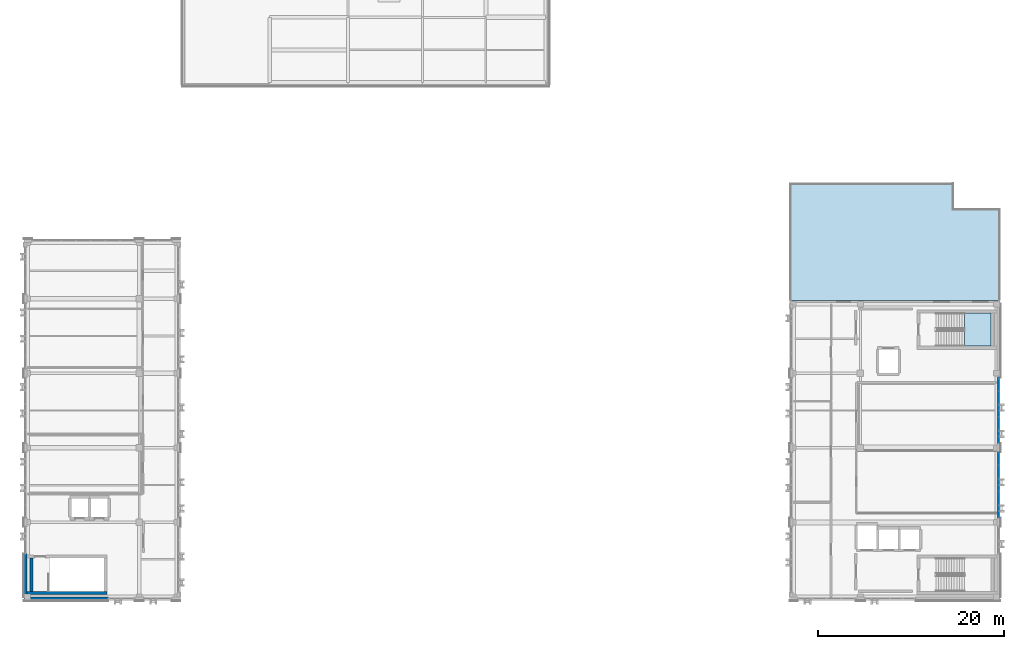
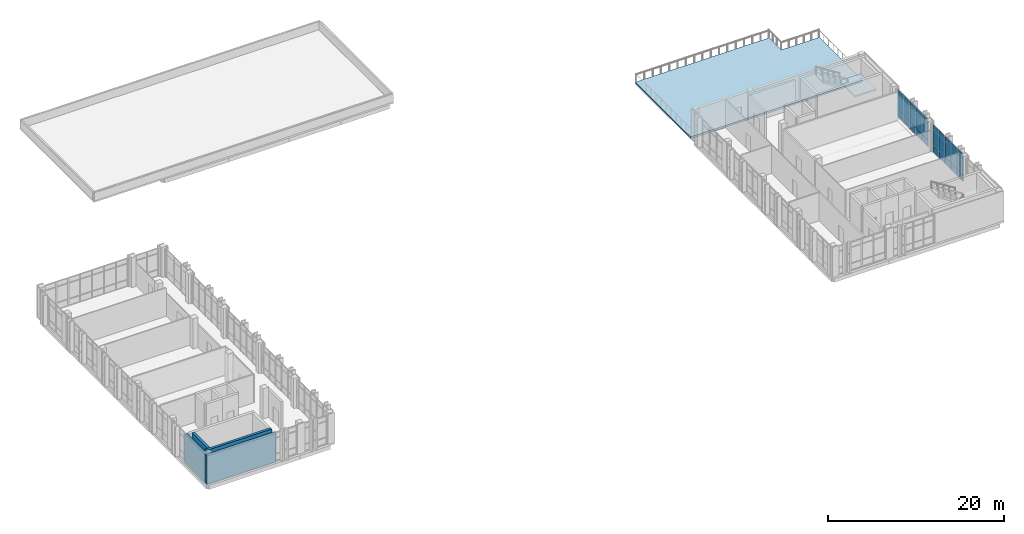
# One storey, part 35 of 48: 30 plates, 4 walls, 2 slabs, 3 elements without a shape of their own.
"""IFC4 building model written with IfcOpenShell, lengths in metres."""

from ifc_helpers import new_model, si_unit, direction, frame, frame_2d, origin, origin_2d, place, context, subcontext, project, spatial, polyline, rectangle, outline, extrude, material, layer, layer_set, type_object, element, aggregate, save


model = new_model("IFC4")

# Units and contexts
model_context = context("Model", 3, precision=1e-05, world=origin(), true_north=direction((0.0, 1.0)))
body_context = subcontext(model_context, "Body", "Model", "MODEL_VIEW")
ifc_project = project(units=[si_unit("LENGTHUNIT", "METRE"), si_unit("AREAUNIT", "SQUARE_METRE"), si_unit("VOLUMEUNIT", "CUBIC_METRE"), si_unit("PLANEANGLEUNIT", "RADIAN"), si_unit("MASSUNIT", "GRAM", prefix="KILO")], contexts=[model_context])

# Site, building, storey
site_placement = place(None, origin())
site = spatial("IfcSite", under=ifc_project, at=site_placement, CompositionType="ELEMENT")
building_placement = place(site_placement, origin())
building = spatial("IfcBuilding", under=site, at=building_placement, Name="Qalavern Law Courts", CompositionType="ELEMENT")
storey_placement = place(building_placement, frame((0.0, 0.0, 31.199951171875)))
storey = spatial("IfcBuildingStorey", under=building, at=storey_placement, Name="L07", CompositionType="ELEMENT", Elevation=31.199951171875)

# Curtain wall, plates
ifc_material_1 = material(Name="Anodised aluminium and insulated glazing", Category="aluminium")
ifc_layer_1 = layer(ifc_material_1, 0.159912109375)
ifc_layer_set_1 = layer_set([ifc_layer_1], Name="Anodised aluminium and insulated glazing")
curtain_wall_type = type_object("IfcCurtainWallType", Name="ENV-CW-CHAMB", PredefinedType="USERDEFINED", material=ifc_layer_set_1)
curtain_wall_1_placement = place(storey_placement, origin())
curtain_wall_1 = element("IfcCurtainWall", 1, at=curtain_wall_1_placement, inside=storey, type_object=curtain_wall_type, Name="V4 unitised curtain wall L07 east 2", ObjectType="UNITISED CURTAIN WALL", PredefinedType="USERDEFINED")
ifc_material_2 = material(Name="Insulated low-E acoustic glazing", Category="glass")
ifc_layer_2 = layer(ifc_material_2, 0.0400390625)
ifc_layer_set_2 = layer_set([ifc_layer_2], Name="Insulated low-E acoustic glazing")
plate_type_1 = type_object("IfcPlateType", Name="ENV-CWP-40", PredefinedType="CURTAIN_PANEL", material=ifc_layer_set_2)
plate_1_placement = place(storey_placement, frame((106.62255859375, 50.612060546875, 0.048095703125), z_axis=(0.0, 0.0, 1.0), x_axis=(0.0, 1.0, 0.0)))
plate_1 = element("IfcPlate", 2, at=plate_1_placement, type_object=plate_type_1, Name="CW-04 panel 1.1", PredefinedType="CURTAIN_PANEL", context=body_context, shape_type="SweptSolid", body=[
    extrude(rectangle(XDim=1.327880859375, YDim=0.0400390625, at=origin_2d()), origin(), (0.0, 0.0, 1.0), 0.8779296875),
])
plate_2_placement = place(storey_placement, frame((106.62255859375, 50.612060546875, 0.97412109375), z_axis=(0.0, 0.0, 1.0), x_axis=(0.0, 1.0, 0.0)))
plate_2 = element("IfcPlate", 3, at=plate_2_placement, type_object=plate_type_1, Name="CW-04 panel 1.2", PredefinedType="CURTAIN_PANEL", context=body_context, shape_type="SweptSolid", body=[
    extrude(rectangle(XDim=1.327880859375, YDim=0.0400390625, at=origin_2d()), origin(), (0.0, 0.0, 1.0), 2.19189453125),
])
plate_3_placement = place(storey_placement, frame((106.62255859375, 50.612060546875, 3.2138671875), z_axis=(0.0, 0.0, 1.0), x_axis=(0.0, 1.0, 0.0)))
plate_3 = element("IfcPlate", 4, at=plate_3_placement, type_object=plate_type_1, Name="CW-04 panel 1.3", PredefinedType="CURTAIN_PANEL", context=body_context, shape_type="SweptSolid", body=[
    extrude(rectangle(XDim=1.327880859375, YDim=0.0400390625, at=origin_2d()), origin(), (0.0, 0.0, 1.0), 0.677978515625),
])
plate_4_placement = place(storey_placement, frame((106.62255859375, 52.0, 0.048095703125), z_axis=(0.0, 0.0, 1.0), x_axis=(0.0, 1.0, 0.0)))
plate_4 = element("IfcPlate", 5, at=plate_4_placement, type_object=plate_type_1, Name="CW-04 panel 2.1", PredefinedType="CURTAIN_PANEL", context=body_context, shape_type="SweptSolid", body=[
    extrude(rectangle(XDim=1.35205078125, YDim=0.0400390625, at=origin_2d()), origin(), (0.0, 0.0, 1.0), 0.8779296875),
])
plate_5_placement = place(storey_placement, frame((106.62255859375, 52.0, 0.97412109375), z_axis=(0.0, 0.0, 1.0), x_axis=(0.0, 1.0, 0.0)))
plate_5 = element("IfcPlate", 6, at=plate_5_placement, type_object=plate_type_1, Name="CW-04 panel 2.2", PredefinedType="CURTAIN_PANEL", context=body_context, shape_type="SweptSolid", body=[
    extrude(rectangle(XDim=1.35205078125, YDim=0.0400390625, at=origin_2d()), origin(), (0.0, 0.0, 1.0), 2.19189453125),
])
plate_6_placement = place(storey_placement, frame((106.62255859375, 52.0, 3.2138671875), z_axis=(0.0, 0.0, 1.0), x_axis=(0.0, 1.0, 0.0)))
plate_6 = element("IfcPlate", 7, at=plate_6_placement, type_object=plate_type_1, Name="CW-04 panel 2.3", PredefinedType="CURTAIN_PANEL", context=body_context, shape_type="SweptSolid", body=[
    extrude(rectangle(XDim=1.35205078125, YDim=0.0400390625, at=origin_2d()), origin(), (0.0, 0.0, 1.0), 0.677978515625),
])
plate_7_placement = place(storey_placement, frame((106.62255859375, 53.39990234375, 0.048095703125), z_axis=(0.0, 0.0, 1.0), x_axis=(0.0, 1.0, 0.0)))
plate_7 = element("IfcPlate", 8, at=plate_7_placement, type_object=plate_type_1, Name="CW-04 panel 3.1", PredefinedType="CURTAIN_PANEL", context=body_context, shape_type="SweptSolid", body=[
    extrude(rectangle(XDim=1.35205078125, YDim=0.0400390625, at=origin_2d()), origin(), (0.0, 0.0, 1.0), 0.8779296875),
])
plate_8_placement = place(storey_placement, frame((106.62255859375, 53.39990234375, 0.97412109375), z_axis=(0.0, 0.0, 1.0), x_axis=(0.0, 1.0, 0.0)))
plate_8 = element("IfcPlate", 9, at=plate_8_placement, type_object=plate_type_1, Name="CW-04 panel 3.2", PredefinedType="CURTAIN_PANEL", context=body_context, shape_type="SweptSolid", body=[
    extrude(rectangle(XDim=1.35205078125, YDim=0.0400390625, at=origin_2d()), origin(), (0.0, 0.0, 1.0), 2.19189453125),
])
plate_9_placement = place(storey_placement, frame((106.62255859375, 53.39990234375, 3.2138671875), z_axis=(0.0, 0.0, 1.0), x_axis=(0.0, 1.0, 0.0)))
plate_9 = element("IfcPlate", 10, at=plate_9_placement, type_object=plate_type_1, Name="CW-04 panel 3.3", PredefinedType="CURTAIN_PANEL", context=body_context, shape_type="SweptSolid", body=[
    extrude(rectangle(XDim=1.35205078125, YDim=0.0400390625, at=origin_2d()), origin(), (0.0, 0.0, 1.0), 0.677978515625),
])
plate_10_placement = place(storey_placement, frame((106.62255859375, 54.800048828125, 0.048095703125), z_axis=(0.0, 0.0, 1.0), x_axis=(0.0, 1.0, 0.0)))
plate_10 = element("IfcPlate", 11, at=plate_10_placement, type_object=plate_type_1, Name="CW-04 panel 4.1", PredefinedType="CURTAIN_PANEL", context=body_context, shape_type="SweptSolid", body=[
    extrude(rectangle(XDim=1.35205078125, YDim=0.0400390625, at=origin_2d()), origin(), (0.0, 0.0, 1.0), 0.8779296875),
])
plate_11_placement = place(storey_placement, frame((106.62255859375, 54.800048828125, 0.97412109375), z_axis=(0.0, 0.0, 1.0), x_axis=(0.0, 1.0, 0.0)))
plate_11 = element("IfcPlate", 12, at=plate_11_placement, type_object=plate_type_1, Name="CW-04 panel 4.2", PredefinedType="CURTAIN_PANEL", context=body_context, shape_type="SweptSolid", body=[
    extrude(rectangle(XDim=1.35205078125, YDim=0.0400390625, at=origin_2d()), origin(), (0.0, 0.0, 1.0), 2.19189453125),
])
plate_12_placement = place(storey_placement, frame((106.62255859375, 54.800048828125, 3.2138671875), z_axis=(0.0, 0.0, 1.0), x_axis=(0.0, 1.0, 0.0)))
plate_12 = element("IfcPlate", 13, at=plate_12_placement, type_object=plate_type_1, Name="CW-04 panel 4.3", PredefinedType="CURTAIN_PANEL", context=body_context, shape_type="SweptSolid", body=[
    extrude(rectangle(XDim=1.35205078125, YDim=0.0400390625, at=origin_2d()), origin(), (0.0, 0.0, 1.0), 0.677978515625),
])
plate_13_placement = place(storey_placement, frame((106.62255859375, 56.18798828125, 0.048095703125), z_axis=(0.0, 0.0, 1.0), x_axis=(0.0, 1.0, 0.0)))
plate_13 = element("IfcPlate", 14, at=plate_13_placement, type_object=plate_type_1, Name="CW-04 panel 5.1", PredefinedType="CURTAIN_PANEL", context=body_context, shape_type="SweptSolid", body=[
    extrude(rectangle(XDim=1.327880859375, YDim=0.0400390625, at=origin_2d()), origin(), (0.0, 0.0, 1.0), 0.8779296875),
])
plate_14_placement = place(storey_placement, frame((106.62255859375, 56.18798828125, 0.97412109375), z_axis=(0.0, 0.0, 1.0), x_axis=(0.0, 1.0, 0.0)))
plate_14 = element("IfcPlate", 15, at=plate_14_placement, type_object=plate_type_1, Name="CW-04 panel 5.2", PredefinedType="CURTAIN_PANEL", context=body_context, shape_type="SweptSolid", body=[
    extrude(rectangle(XDim=1.327880859375, YDim=0.0400390625, at=origin_2d()), origin(), (0.0, 0.0, 1.0), 2.19189453125),
])
plate_15_placement = place(storey_placement, frame((106.62255859375, 56.18798828125, 3.2138671875), z_axis=(0.0, 0.0, 1.0), x_axis=(0.0, 1.0, 0.0)))
plate_15 = element("IfcPlate", 16, at=plate_15_placement, type_object=plate_type_1, Name="CW-04 panel 5.3", PredefinedType="CURTAIN_PANEL", context=body_context, shape_type="SweptSolid", body=[
    extrude(rectangle(XDim=1.327880859375, YDim=0.0400390625, at=origin_2d()), origin(), (0.0, 0.0, 1.0), 0.677978515625),
])
aggregate(curtain_wall_1, [plate_1, plate_2, plate_3, plate_4, plate_5, plate_6, plate_7, plate_8, plate_9, plate_10, plate_11, plate_12, plate_13, plate_14, plate_15])

curtain_wall_2_placement = place(storey_placement, origin())
curtain_wall_2 = element("IfcCurtainWall", 17, at=curtain_wall_2_placement, inside=storey, type_object=curtain_wall_type, Name="V4 unitised curtain wall L07 east 3", ObjectType="UNITISED CURTAIN WALL", PredefinedType="USERDEFINED")
ifc_layer_3 = layer(ifc_material_2, 0.0439453125)
ifc_layer_set_3 = layer_set([ifc_layer_3], Name="Insulated low-E acoustic glazing")
plate_type_2 = type_object("IfcPlateType", Name="ENV-CWP-44", PredefinedType="CURTAIN_PANEL", material=ifc_layer_set_3)
plate_16_placement = place(storey_placement, frame((106.62255859375, 58.612060546875, 0.048095703125), z_axis=(0.0, 0.0, 1.0), x_axis=(0.0, 1.0, 0.0)))
plate_16 = element("IfcPlate", 18, at=plate_16_placement, type_object=plate_type_2, Name="CW-04 panel 1.1", PredefinedType="CURTAIN_PANEL", context=body_context, shape_type="SweptSolid", body=[
    extrude(rectangle(XDim=1.327880859375, YDim=0.0439453125, at=origin_2d()), origin(), (0.0, 0.0, 1.0), 0.8779296875),
])
plate_17_placement = place(storey_placement, frame((106.62255859375, 58.612060546875, 0.97412109375), z_axis=(0.0, 0.0, 1.0), x_axis=(0.0, 1.0, 0.0)))
plate_17 = element("IfcPlate", 19, at=plate_17_placement, type_object=plate_type_2, Name="CW-04 panel 1.2", PredefinedType="CURTAIN_PANEL", context=body_context, shape_type="SweptSolid", body=[
    extrude(rectangle(XDim=1.327880859375, YDim=0.0439453125, at=origin_2d()), origin(), (0.0, 0.0, 1.0), 2.19189453125),
])
plate_18_placement = place(storey_placement, frame((106.62255859375, 58.612060546875, 3.2138671875), z_axis=(0.0, 0.0, 1.0), x_axis=(0.0, 1.0, 0.0)))
plate_18 = element("IfcPlate", 20, at=plate_18_placement, type_object=plate_type_2, Name="CW-04 panel 1.3", PredefinedType="CURTAIN_PANEL", context=body_context, shape_type="SweptSolid", body=[
    extrude(rectangle(XDim=1.327880859375, YDim=0.0439453125, at=origin_2d()), origin(), (0.0, 0.0, 1.0), 0.677978515625),
])
plate_19_placement = place(storey_placement, frame((106.62255859375, 60.0, 0.048095703125), z_axis=(0.0, 0.0, 1.0), x_axis=(0.0, 1.0, 0.0)))
plate_19 = element("IfcPlate", 21, at=plate_19_placement, type_object=plate_type_2, Name="CW-04 panel 2.1", PredefinedType="CURTAIN_PANEL", context=body_context, shape_type="SweptSolid", body=[
    extrude(rectangle(XDim=1.35205078125, YDim=0.0439453125, at=origin_2d()), origin(), (0.0, 0.0, 1.0), 0.8779296875),
])
plate_20_placement = place(storey_placement, frame((106.62255859375, 60.0, 0.97412109375), z_axis=(0.0, 0.0, 1.0), x_axis=(0.0, 1.0, 0.0)))
plate_20 = element("IfcPlate", 22, at=plate_20_placement, type_object=plate_type_2, Name="CW-04 panel 2.2", PredefinedType="CURTAIN_PANEL", context=body_context, shape_type="SweptSolid", body=[
    extrude(rectangle(XDim=1.35205078125, YDim=0.0439453125, at=origin_2d()), origin(), (0.0, 0.0, 1.0), 2.19189453125),
])
plate_21_placement = place(storey_placement, frame((106.62255859375, 60.0, 3.2138671875), z_axis=(0.0, 0.0, 1.0), x_axis=(0.0, 1.0, 0.0)))
plate_21 = element("IfcPlate", 23, at=plate_21_placement, type_object=plate_type_2, Name="CW-04 panel 2.3", PredefinedType="CURTAIN_PANEL", context=body_context, shape_type="SweptSolid", body=[
    extrude(rectangle(XDim=1.35205078125, YDim=0.0439453125, at=origin_2d()), origin(), (0.0, 0.0, 1.0), 0.677978515625),
])
plate_22_placement = place(storey_placement, frame((106.62255859375, 61.39990234375, 0.048095703125), z_axis=(0.0, 0.0, 1.0), x_axis=(0.0, 1.0, 0.0)))
plate_22 = element("IfcPlate", 24, at=plate_22_placement, type_object=plate_type_2, Name="CW-04 panel 3.1", PredefinedType="CURTAIN_PANEL", context=body_context, shape_type="SweptSolid", body=[
    extrude(rectangle(XDim=1.35205078125, YDim=0.0439453125, at=origin_2d()), origin(), (0.0, 0.0, 1.0), 0.8779296875),
])
plate_23_placement = place(storey_placement, frame((106.62255859375, 61.39990234375, 0.97412109375), z_axis=(0.0, 0.0, 1.0), x_axis=(0.0, 1.0, 0.0)))
plate_23 = element("IfcPlate", 25, at=plate_23_placement, type_object=plate_type_2, Name="CW-04 panel 3.2", PredefinedType="CURTAIN_PANEL", context=body_context, shape_type="SweptSolid", body=[
    extrude(rectangle(XDim=1.35205078125, YDim=0.0439453125, at=origin_2d()), origin(), (0.0, 0.0, 1.0), 2.19189453125),
])
plate_24_placement = place(storey_placement, frame((106.62255859375, 61.39990234375, 3.2138671875), z_axis=(0.0, 0.0, 1.0), x_axis=(0.0, 1.0, 0.0)))
plate_24 = element("IfcPlate", 26, at=plate_24_placement, type_object=plate_type_2, Name="CW-04 panel 3.3", PredefinedType="CURTAIN_PANEL", context=body_context, shape_type="SweptSolid", body=[
    extrude(rectangle(XDim=1.35205078125, YDim=0.0439453125, at=origin_2d()), origin(), (0.0, 0.0, 1.0), 0.677978515625),
])
plate_25_placement = place(storey_placement, frame((106.62255859375, 62.800048828125, 0.048095703125), z_axis=(0.0, 0.0, 1.0), x_axis=(0.0, 1.0, 0.0)))
plate_25 = element("IfcPlate", 27, at=plate_25_placement, type_object=plate_type_2, Name="CW-04 panel 4.1", PredefinedType="CURTAIN_PANEL", context=body_context, shape_type="SweptSolid", body=[
    extrude(rectangle(XDim=1.35205078125, YDim=0.0439453125, at=origin_2d()), origin(), (0.0, 0.0, 1.0), 0.8779296875),
])
plate_26_placement = place(storey_placement, frame((106.62255859375, 62.800048828125, 0.97412109375), z_axis=(0.0, 0.0, 1.0), x_axis=(0.0, 1.0, 0.0)))
plate_26 = element("IfcPlate", 28, at=plate_26_placement, type_object=plate_type_2, Name="CW-04 panel 4.2", PredefinedType="CURTAIN_PANEL", context=body_context, shape_type="SweptSolid", body=[
    extrude(rectangle(XDim=1.35205078125, YDim=0.0439453125, at=origin_2d()), origin(), (0.0, 0.0, 1.0), 2.19189453125),
])
plate_27_placement = place(storey_placement, frame((106.62255859375, 62.800048828125, 3.2138671875), z_axis=(0.0, 0.0, 1.0), x_axis=(0.0, 1.0, 0.0)))
plate_27 = element("IfcPlate", 29, at=plate_27_placement, type_object=plate_type_2, Name="CW-04 panel 4.3", PredefinedType="CURTAIN_PANEL", context=body_context, shape_type="SweptSolid", body=[
    extrude(rectangle(XDim=1.35205078125, YDim=0.0439453125, at=origin_2d()), origin(), (0.0, 0.0, 1.0), 0.677978515625),
])
plate_28_placement = place(storey_placement, frame((106.62255859375, 64.18798828125, 0.048095703125), z_axis=(0.0, 0.0, 1.0), x_axis=(0.0, 1.0, 0.0)))
plate_28 = element("IfcPlate", 30, at=plate_28_placement, type_object=plate_type_2, Name="CW-04 panel 5.1", PredefinedType="CURTAIN_PANEL", context=body_context, shape_type="SweptSolid", body=[
    extrude(rectangle(XDim=1.327880859375, YDim=0.0439453125, at=origin_2d()), origin(), (0.0, 0.0, 1.0), 0.8779296875),
])
plate_29_placement = place(storey_placement, frame((106.62255859375, 64.18798828125, 0.97412109375), z_axis=(0.0, 0.0, 1.0), x_axis=(0.0, 1.0, 0.0)))
plate_29 = element("IfcPlate", 31, at=plate_29_placement, type_object=plate_type_2, Name="CW-04 panel 5.2", PredefinedType="CURTAIN_PANEL", context=body_context, shape_type="SweptSolid", body=[
    extrude(rectangle(XDim=1.327880859375, YDim=0.0439453125, at=origin_2d()), origin(), (0.0, 0.0, 1.0), 2.19189453125),
])
plate_30_placement = place(storey_placement, frame((106.62255859375, 64.18798828125, 3.2138671875), z_axis=(0.0, 0.0, 1.0), x_axis=(0.0, 1.0, 0.0)))
plate_30 = element("IfcPlate", 32, at=plate_30_placement, type_object=plate_type_2, Name="CW-04 panel 5.3", PredefinedType="CURTAIN_PANEL", context=body_context, shape_type="SweptSolid", body=[
    extrude(rectangle(XDim=1.327880859375, YDim=0.0439453125, at=origin_2d()), origin(), (0.0, 0.0, 1.0), 0.677978515625),
])
aggregate(curtain_wall_2, [plate_16, plate_17, plate_18, plate_19, plate_20, plate_21, plate_22, plate_23, plate_24, plate_25, plate_26, plate_27, plate_28, plate_29, plate_30])

# Stair, slab
ifc_material_3 = material(Name="Concrete C35/45", Category="concrete")
stair_type = type_object("IfcStairType", Name="INT-STAIR-1700", PredefinedType="HALF_TURN_STAIR", material=ifc_material_3)
stair_placement = place(storey_placement, origin())
stair = element("IfcStair", 33, at=stair_placement, inside=storey, type_object=stair_type, Name="L07 ST-K1B", PredefinedType="HALF_TURN_STAIR")
ifc_layer_4 = layer(ifc_material_3, 0.199951171875)
ifc_layer_set_4 = layer_set([ifc_layer_4], Name="Concrete C35/45")
slab_type_1 = type_object("IfcSlabType", Name="INT-LANDING-200", PredefinedType="LANDING", material=ifc_layer_set_4)
slab_1_placement = place(storey_placement, frame((0.0, 0.0, 1.900146484375)))
slab_1 = element("IfcSlab", 34, at=slab_1_placement, type_object=slab_type_1, Name="ST-K1B landing 1", PredefinedType="LANDING", context=body_context, shape_type="SweptSolid", body=[
    extrude(outline(polyline([(102.97998046875, 68.300048828125), (105.800048828125, 68.300048828125), (105.800048828125, 71.85009765625), (102.97998046875, 71.85009765625), (102.97998046875, 68.300048828125)])), origin(), (0.0, 0.0, 1.0), 0.199951171875),
])
aggregate(stair, [slab_1])

# Slab
ifc_layer_5 = layer(ifc_material_3, 0.261962890625)
ifc_layer_set_5 = layer_set([ifc_layer_5], Name="Concrete C35/45")
slab_type_2 = type_object("IfcSlabType", Name="STR-TER-L07", PredefinedType="FLOOR", material=ifc_layer_set_5)
slab_2_placement = place(storey_placement, frame((0.0, 0.0, -0.261962890625)))
element("IfcSlab", 35, at=slab_2_placement, inside=storey, type_object=slab_type_2, Name="V4 outdoor terrace deck L07", PredefinedType="FLOOR", context=body_context, shape_type="SweptSolid", body=[
    extrude(outline(polyline([(84.199951171875, 73.199951171875), (106.800048828125, 73.199951171875), (106.800048828125, 83.030029296875), (101.830078125, 83.030029296875), (101.830078125, 85.800048828125), (84.199951171875, 85.800048828125), (84.199951171875, 73.199951171875)])), origin(), (0.0, 0.0, 1.0), 0.261962890625),
])

# Walls
ifc_material_4 = material(Name="Concrete C40/50", Category="concrete")
ifc_layer_6 = layer(ifc_material_4, 0.35498046875)
ifc_layer_set_6 = layer_set([ifc_layer_6], Name="Concrete C40/50")
wall_type_1 = type_object("IfcWallType", Name="ENV-EW-355", PredefinedType="SOLIDWALL", material=ifc_layer_set_6)
wall_1_placement = place(storey_placement, frame((2.0, 41.197509765625, 0.0), z_axis=(0.0, 0.0, 1.0), x_axis=(1.0, 0.0, 0.0)))
element("IfcWall", 36, at=wall_1_placement, inside=storey, type_object=wall_type_1, Name="V3 exterior pier wall L07 south 1", PredefinedType="SOLIDWALL", context=body_context, shape_type="SweptSolid", body=[
    extrude(rectangle(XDim=9.10009765625, YDim=0.35498046875, at=frame_2d((4.550048828125, 0.0))), origin(), (0.0, 0.0, 1.0), 3.93994140625),
])
wall_2_placement = place(storey_placement, frame((2.177490234375, 46.050048828125, 0.0), z_axis=(0.0, 0.0, 1.0), x_axis=(0.0, -1.0, 0.0)))
element("IfcWall", 37, at=wall_2_placement, inside=storey, type_object=wall_type_1, Name="V3 exterior pier wall L07 west 6", PredefinedType="SOLIDWALL", context=body_context, shape_type="SweptSolid", body=[
    extrude(rectangle(XDim=4.679931640625, YDim=0.35498046875, at=frame_2d((2.33984375, 0.0))), origin(), (0.0, 0.0, 1.0), 3.93994140625),
])
ifc_material_5 = material(Name="Concrete C45/55", Category="concrete")
ifc_layer_7 = layer(ifc_material_5, 0.3349609375)
ifc_layer_set_7 = layer_set([ifc_layer_7], Name="Concrete C45/55")
wall_type_2 = type_object("IfcWallType", Name="INT-CW-335", PredefinedType="SHEAR", material=ifc_layer_set_7)
wall_3_placement = place(storey_placement, frame((2.35791015625, 41.83251953125, 0.0), z_axis=(0.0, 0.0, 1.0), x_axis=(1.0, 0.0, 0.0)))
element("IfcWall", 38, at=wall_3_placement, inside=storey, type_object=wall_type_2, Name="Core K2 stair shear wall L07 south", PredefinedType="SHEAR", context=body_context, shape_type="SweptSolid", body=[
    extrude(rectangle(XDim=8.5771484375, YDim=0.3349609375, at=frame_2d((4.28857421875, 0.0))), origin(), (0.0, 0.0, 1.0), 4.199951171875),
])
wall_4_placement = place(storey_placement, frame((2.83251953125, 45.550048828125, 0.0), z_axis=(0.0, 0.0, 1.0), x_axis=(0.0, -1.0, 0.0)))
element("IfcWall", 39, at=wall_4_placement, inside=storey, type_object=wall_type_2, Name="Core K2 stair shear wall L07 west", PredefinedType="SHEAR", context=body_context, shape_type="SweptSolid", body=[
    extrude(rectangle(XDim=3.550048828125, YDim=0.3349609375, at=frame_2d((1.77490234375, 0.0))), origin(), (0.0, 0.0, 1.0), 4.199951171875),
])

save(model, "model.ifc")
